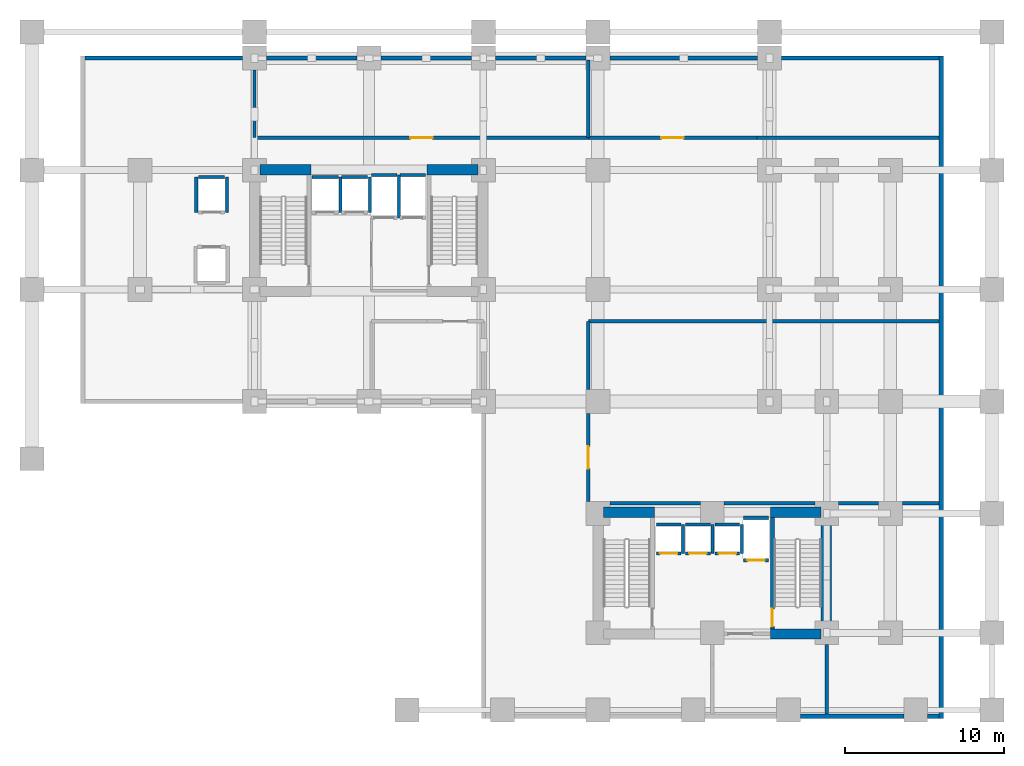
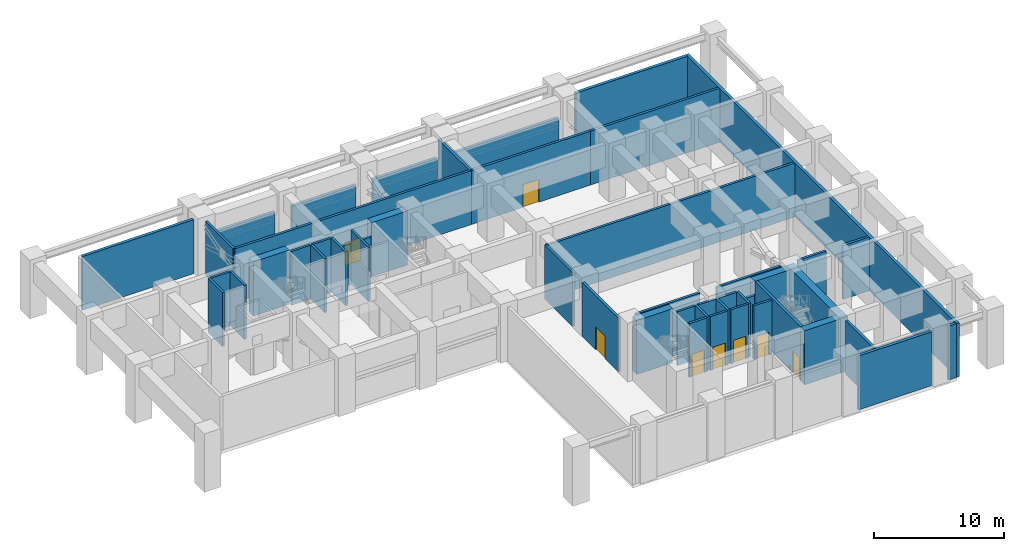
# One storey, part 5 of 9: 50 walls, 8 doors, 8 openings.
"""IFC4 building model written with IfcOpenShell, lengths in metres."""

from ifc_helpers import new_model, si_unit, direction, frame, frame_2d, origin, place, context, subcontext, project, spatial, rectangle, extrude, material, layer, layer_set, type_object, element, fill, save


model = new_model("IFC4")

# Units and contexts
model_context = context("Model", 3, precision=1e-05, world=origin(), true_north=direction((0.0, 1.0)))
body_context = subcontext(model_context, "Body", "Model", "MODEL_VIEW")
ifc_project = project(units=[si_unit("LENGTHUNIT", "METRE"), si_unit("AREAUNIT", "SQUARE_METRE"), si_unit("VOLUMEUNIT", "CUBIC_METRE"), si_unit("PLANEANGLEUNIT", "RADIAN"), si_unit("MASSUNIT", "GRAM", prefix="KILO")], contexts=[model_context])

# Site, building, storey
site_placement = place(None, origin())
site = spatial("IfcSite", under=ifc_project, at=site_placement, CompositionType="ELEMENT")
building_placement = place(site_placement, origin())
building = spatial("IfcBuilding", under=site, at=building_placement, Name="Kaliganga Portal Commons", CompositionType="ELEMENT")
storey_placement = place(building_placement, frame((0.0, 0.0, 19.800048828125)))
storey = spatial("IfcBuildingStorey", under=building, at=storey_placement, Name="L04", CompositionType="ELEMENT", Elevation=19.800048828125)

# Walls
ifc_material_1 = material(Name="Concrete C70/85", Category="concrete")
ifc_layer_1 = layer(ifc_material_1, 0.64990234375)
ifc_layer_set_1 = layer_set([ifc_layer_1], Name="Concrete C70/85")
wall_type_1 = type_object("IfcWallType", Name="WL-CORE-650", PredefinedType="SHEAR", material=ifc_layer_set_1)
for number, where, z_axis, x_axis, name in (
    (1, (14.75, 36.175048828125, 0.0), (0.0, 0.0, 1.0), (1.0, 0.0, 0.0), "Core A N-West Shear Wall L04"),
    (2, (25.25, 36.175048828125, 0.0), (0.0, 0.0, 1.0), (1.0, 0.0, 0.0), "Core A N-East Shear Wall L04"),
):
    element("IfcWall", number, at=place(storey_placement, frame(where, z_axis=z_axis, x_axis=x_axis)), inside=storey, type_object=wall_type_1, Name=name, PredefinedType="SHEAR", context=body_context, shape_type="SweptSolid", body=[
        extrude(rectangle(XDim=3.199951171875, YDim=0.64990234375, at=frame_2d((1.60009765625, 0.0))), origin(), (0.0, 0.0, 1.0), 5.079833984375),
    ])
wall_1_placement = place(storey_placement, frame((50.375, 6.64990234375, 0.0), z_axis=(0.0, 0.0, 1.0), x_axis=(0.0, 1.0, 0.0)))
element("IfcWall", 3, at=wall_1_placement, inside=storey, type_object=wall_type_1, Name="Core B East Shear Wall L04", PredefinedType="SHEAR", context=body_context, shape_type="SweptSolid", body=[
    extrude(rectangle(XDim=8.300048828125, YDim=0.64990234375, at=frame_2d((4.14990234375, 0.0))), origin(), (0.0, 0.0, 1.0), 5.079833984375),
])
for number, where, z_axis, x_axis, name in (
    (4, (46.85009765625, 6.97509765625, 0.0), (0.0, 0.0, 1.0), (1.0, 0.0, 0.0), "Core B S-East Shear Wall L04"),
    (5, (36.35009765625, 14.625, 0.0), (0.0, 0.0, 1.0), (1.0, 0.0, 0.0), "Core B N-West Shear Wall L04"),
    (6, (46.85009765625, 14.625, 0.0), (0.0, 0.0, 1.0), (1.0, 0.0, 0.0), "Core B N-East Shear Wall L04"),
):
    element("IfcWall", number, at=place(storey_placement, frame(where, z_axis=z_axis, x_axis=x_axis)), inside=storey, type_object=wall_type_1, Name=name, PredefinedType="SHEAR", context=body_context, shape_type="SweptSolid", body=[
        extrude(rectangle(XDim=3.199951171875, YDim=0.64990234375, at=frame_2d((1.60009765625, 0.0))), origin(), (0.0, 0.0, 1.0), 5.079833984375),
    ])
ifc_material_2 = material(Name="Insulated Aluminium-Clad Spandrel Assembly", Category="aluminium")
ifc_layer_2 = layer(ifc_material_2, 0.260009765625)
ifc_layer_set_2 = layer_set([ifc_layer_2], Name="Insulated Aluminium-Clad Spandrel Assembly")
wall_type_2 = type_object("IfcWallType", Name="WL-EXT-SPAND-260", PredefinedType="STANDARD", material=ifc_layer_set_2)
wall_2_placement = place(storey_placement, frame((55.2490234375, 1.800048828125, 0.0), z_axis=(0.0, 0.0, 1.0), x_axis=(-1.0, 0.0, 0.0)))
element("IfcWall", 7, at=wall_2_placement, inside=storey, type_object=wall_type_2, Name="Exterior Envelope Wall L04 P1-E00-S5", PredefinedType="STANDARD", context=body_context, shape_type="SweptSolid", body=[
    extrude(rectangle(XDim=6.498046875, YDim=0.260009765625, at=frame_2d((3.2490234375, 0.0))), origin(), (0.0, 0.0, 1.0), 5.06005859375),
])
wall_3_placement = place(storey_placement, frame((57.465087890625, 1.800048828125, 0.0), z_axis=(0.0, 0.0, 1.0), x_axis=(-1.0, 0.0, 0.0)))
element("IfcWall", 8, at=wall_3_placement, inside=storey, type_object=wall_type_2, Name="Exterior Envelope Wall L04 P1-E00-S6", PredefinedType="STANDARD", context=body_context, shape_type="SweptSolid", body=[
    extrude(rectangle(XDim=0.714111328125, YDim=0.260009765625, at=frame_2d((0.35693359375, 0.0))), origin(), (0.0, 0.0, 1.0), 5.06005859375),
])
wall_4_placement = place(storey_placement, frame((57.60009765625, 43.330078125, 0.0), z_axis=(0.0, 0.0, 1.0), x_axis=(0.0, -1.0, 0.0)))
element("IfcWall", 9, at=wall_4_placement, inside=storey, type_object=wall_type_2, Name="Exterior Envelope Wall L04 P1-E01-S1", PredefinedType="STANDARD", context=body_context, shape_type="SweptSolid", body=[
    extrude(rectangle(XDim=41.66015625, YDim=0.260009765625, at=frame_2d((20.830078125, 0.0))), origin(), (0.0, 0.0, 1.0), 5.06005859375),
])
wall_5_placement = place(storey_placement, frame((47.551025390625, 43.199951171875, 0.0), z_axis=(0.0, 0.0, 1.0), x_axis=(1.0, 0.0, 0.0)))
element("IfcWall", 10, at=wall_5_placement, inside=storey, type_object=wall_type_2, Name="Exterior Envelope Wall L04 P1-E02-S1", PredefinedType="STANDARD", context=body_context, shape_type="SweptSolid", body=[
    extrude(rectangle(XDim=9.9140625, YDim=0.260009765625, at=frame_2d((4.95703125, 0.0))), origin(), (0.0, 0.0, 1.0), 5.06005859375),
])
wall_6_placement = place(storey_placement, frame((36.7509765625, 43.199951171875, 0.0), z_axis=(0.0, 0.0, 1.0), x_axis=(1.0, 0.0, 0.0)))
element("IfcWall", 11, at=wall_6_placement, inside=storey, type_object=wall_type_2, Name="Exterior Envelope Wall L04 P1-E02-S2", PredefinedType="STANDARD", context=body_context, shape_type="SweptSolid", body=[
    extrude(rectangle(XDim=9.298095703125, YDim=0.260009765625, at=frame_2d((4.64892578125, 0.0))), origin(), (0.0, 0.0, 1.0), 3.260009765625),
])
for number, where, z_axis, x_axis, name in (
    (12, (29.551025390625, 43.199951171875, 0.0), (0.0, 0.0, 1.0), (1.0, 0.0, 0.0), "Exterior Envelope Wall L04 P1-E02-S3"),
    (13, (22.35107421875, 43.199951171875, 0.0), (0.0, 0.0, 1.0), (1.0, 0.0, 0.0), "Exterior Envelope Wall L04 P1-E02-S4"),
):
    element("IfcWall", number, at=place(storey_placement, frame(where, z_axis=z_axis, x_axis=x_axis)), inside=storey, type_object=wall_type_2, Name=name, PredefinedType="STANDARD", context=body_context, shape_type="SweptSolid", body=[
        extrude(rectangle(XDim=5.697998046875, YDim=0.260009765625, at=frame_2d((2.84912109375, 0.0))), origin(), (0.0, 0.0, 1.0), 3.260009765625),
    ])
wall_7_placement = place(storey_placement, frame((15.15087890625, 43.199951171875, 0.0), z_axis=(0.0, 0.0, 1.0), x_axis=(1.0, 0.0, 0.0)))
element("IfcWall", 14, at=wall_7_placement, inside=storey, type_object=wall_type_2, Name="Exterior Envelope Wall L04 P1-E02-S5", PredefinedType="STANDARD", context=body_context, shape_type="SweptSolid", body=[
    extrude(rectangle(XDim=5.6982421875, YDim=0.260009765625, at=frame_2d((2.84912109375, 0.0))), origin(), (0.0, 0.0, 1.0), 3.260009765625),
])
wall_8_placement = place(storey_placement, frame((3.735107421875, 43.199951171875, 0.0), z_axis=(0.0, 0.0, 1.0), x_axis=(1.0, 0.0, 0.0)))
element("IfcWall", 15, at=wall_8_placement, inside=storey, type_object=wall_type_2, Name="Exterior Envelope Wall L04 P1-E02-S6", PredefinedType="STANDARD", context=body_context, shape_type="SweptSolid", body=[
    extrude(rectangle(XDim=9.913818359375, YDim=0.260009765625, at=frame_2d((4.95703125, 0.0))), origin(), (0.0, 0.0, 1.0), 5.06005859375),
])

# Wall, opening, door
ifc_material_3 = material(Name="Lightweight blockwork masonry", Category="masonry")
ifc_layer_3 = layer(ifc_material_3, 0.215087890625)
ifc_layer_set_3 = layer_set([ifc_layer_3], Name="Lightweight blockwork masonry")
wall_type_3 = type_object("IfcWallType", Name="WL-PART-PLANT-215", PredefinedType="PARTITIONING", material=ifc_layer_set_3)
wall_9_placement = place(storey_placement, frame((14.39990234375, 38.199951171875, 0.0), z_axis=(0.0, 0.0, 1.0), x_axis=(1.0, 0.0, 0.0)))
wall_9 = element("IfcWall", 16, at=wall_9_placement, inside=storey, type_object=wall_type_3, Name="Interior Partition L04-002", PredefinedType="PARTITIONING", context=body_context, shape_type="SweptSolid", body=[
    extrude(rectangle(XDim=21.0, YDim=0.215087890625, at=frame_2d((10.5, 0.0))), origin(), (0.0, 0.0, 1.0), 5.06005859375),
])
opening_1_placement = place(wall_9_placement, frame((9.800048828125, 0.0, 0.0)))
opening_1 = element("IfcOpeningElement", 17, at=opening_1_placement, cuts=wall_9, Name="Opening PD-01", PredefinedType="OPENING", context=body_context, shape_type="SweptSolid", body=[
    extrude(rectangle(XDim=1.39990234375, YDim=2.14990234375, at=frame_2d((0.699951171875, 1.074951171875))), frame((0.0, 0.11767578125, 0.0), z_axis=(0.0, -1.0, 0.0), x_axis=(1.0, 0.0, 0.0)), (0.0, 0.0, 1.0), 0.235107421875),
])
ifc_material_4 = material(Name="Heavy-Duty Steel Acoustic Louvre Fire Door", Category="steel")
door_type_1 = type_object("IfcDoorType", Name="DR-PLANT-1400", OperationType="DOUBLE_DOOR_SINGLE_SWING", PredefinedType="DOOR", material=ifc_material_4)
door_1_placement = place(opening_1_placement, origin())
door_1 = element("IfcDoor", 18, at=door_1_placement, inside=storey, type_object=door_type_1, Name="Interior Door L04-AHU_N", OperationType="DOUBLE_DOOR_SINGLE_SWING", OverallHeight=2.14990234375, OverallWidth=1.39990234375, PredefinedType="DOOR", context=body_context, shape_type="SweptSolid", body=[
    extrude(rectangle(XDim=1.39990234375, YDim=2.14990234375, at=frame_2d((0.699951171875, 1.074951171875))), frame((0.0, 0.02490234375, 0.0), z_axis=(0.0, -1.0, 0.0), x_axis=(1.0, 0.0, 0.0)), (0.0, 0.0, 1.0), 0.050048828125),
])
fill(opening_1, door_1)

wall_10_placement = place(storey_placement, frame((35.39990234375, 15.300048828125, 0.0), z_axis=(0.0, 0.0, 1.0), x_axis=(0.0, 1.0, 0.0)))
wall_10 = element("IfcWall", 19, at=wall_10_placement, inside=storey, type_object=wall_type_3, Name="Interior Partition L04-003", PredefinedType="PARTITIONING", context=body_context, shape_type="SweptSolid", body=[
    extrude(rectangle(XDim=5.550048828125, YDim=0.215087890625, at=frame_2d((2.77490234375, 0.0))), origin(), (0.0, 0.0, 1.0), 5.06005859375),
])
opening_2_placement = place(wall_10_placement, frame((2.074951171875, 0.0, 0.0)))
opening_2 = element("IfcOpeningElement", 20, at=opening_2_placement, cuts=wall_10, Name="Opening PD-01", PredefinedType="OPENING", context=body_context, shape_type="SweptSolid", body=[
    extrude(rectangle(XDim=1.39990234375, YDim=2.14990234375, at=frame_2d((0.699951171875, 1.074951171875))), frame((0.0, 0.11767578125, 0.0), z_axis=(0.0, -1.0, 0.0), x_axis=(1.0, 0.0, 0.0)), (0.0, 0.0, 1.0), 0.235107421875),
])
door_2_placement = place(opening_2_placement, origin())
door_2 = element("IfcDoor", 21, at=door_2_placement, inside=storey, type_object=door_type_1, Name="Interior Door L04-HEX", OperationType="DOUBLE_DOOR_SINGLE_SWING", OverallHeight=2.14990234375, OverallWidth=1.39990234375, PredefinedType="DOOR", context=body_context, shape_type="SweptSolid", body=[
    extrude(rectangle(XDim=1.39990234375, YDim=2.14990234375, at=frame_2d((0.699951171875, 1.074951171875))), frame((0.0, 0.02490234375, 0.0), z_axis=(0.0, -1.0, 0.0), x_axis=(1.0, 0.0, 0.0)), (0.0, 0.0, 1.0), 0.050048828125),
])
fill(opening_2, door_2)

# Wall
wall_11_placement = place(storey_placement, frame((35.39990234375, 22.35009765625, 0.0), z_axis=(0.0, 0.0, 1.0), x_axis=(0.0, 1.0, 0.0)))
element("IfcWall", 22, at=wall_11_placement, inside=storey, type_object=wall_type_3, Name="Interior Partition L04-004", PredefinedType="PARTITIONING", context=body_context, shape_type="SweptSolid", body=[
    extrude(rectangle(XDim=4.289794921875, YDim=0.215087890625, at=frame_2d((2.14501953125, 0.0))), origin(), (0.0, 0.0, 1.0), 5.06005859375),
])

# Wall, opening, door
wall_12_placement = place(storey_placement, frame((35.39990234375, 38.199951171875, 0.0), z_axis=(0.0, 0.0, 1.0), x_axis=(1.0, 0.0, 0.0)))
wall_12 = element("IfcWall", 23, at=wall_12_placement, inside=storey, type_object=wall_type_3, Name="Interior Partition L04-005", PredefinedType="PARTITIONING", context=body_context, shape_type="SweptSolid", body=[
    extrude(rectangle(XDim=10.60009765625, YDim=0.215087890625, at=frame_2d((5.300048828125, 0.0))), origin(), (0.0, 0.0, 1.0), 5.06005859375),
])
opening_3_placement = place(wall_12_placement, frame((4.60009765625, 0.0, 0.0)))
opening_3 = element("IfcOpeningElement", 24, at=opening_3_placement, cuts=wall_12, Name="Opening PD-01", PredefinedType="OPENING", context=body_context, shape_type="SweptSolid", body=[
    extrude(rectangle(XDim=1.39990234375, YDim=2.14990234375, at=frame_2d((0.699951171875, 1.074951171875))), frame((0.0, 0.11767578125, 0.0), z_axis=(0.0, -1.0, 0.0), x_axis=(1.0, 0.0, 0.0)), (0.0, 0.0, 1.0), 0.235107421875),
])
door_3_placement = place(opening_3_placement, origin())
door_3 = element("IfcDoor", 25, at=door_3_placement, inside=storey, type_object=door_type_1, Name="Interior Door L04-ELEC", OperationType="DOUBLE_DOOR_SINGLE_SWING", OverallHeight=2.14990234375, OverallWidth=1.39990234375, PredefinedType="DOOR", context=body_context, shape_type="SweptSolid", body=[
    extrude(rectangle(XDim=1.39990234375, YDim=2.14990234375, at=frame_2d((0.699951171875, 1.074951171875))), frame((0.0, 0.02490234375, 0.0), z_axis=(0.0, -1.0, 0.0), x_axis=(1.0, 0.0, 0.0)), (0.0, 0.0, 1.0), 0.050048828125),
])
fill(opening_3, door_3)

# Walls
for number, where, z_axis, x_axis, name in (
    (26, (36.75, 15.199951171875, 0.0), (0.0, 0.0, 1.0), (1.0, 0.0, 0.0), "Interior Partition L04-008"),
    (27, (43.949951171875, 15.199951171875, 0.0), (0.0, 0.0, 1.0), (1.0, 0.0, 0.0), "Interior Partition L04-009"),
):
    element("IfcWall", number, at=place(storey_placement, frame(where, z_axis=z_axis, x_axis=x_axis)), inside=storey, type_object=wall_type_3, Name=name, PredefinedType="PARTITIONING", context=body_context, shape_type="SweptSolid", body=[
        extrude(rectangle(XDim=5.699951171875, YDim=0.215087890625, at=frame_2d((2.85009765625, 0.0))), origin(), (0.0, 0.0, 1.0), 5.06005859375),
    ])
wall_13_placement = place(storey_placement, frame((51.14990234375, 15.199951171875, 0.0), z_axis=(0.0, 0.0, 1.0), x_axis=(1.0, 0.0, 0.0)))
element("IfcWall", 28, at=wall_13_placement, inside=storey, type_object=wall_type_3, Name="Interior Partition L04-010", PredefinedType="PARTITIONING", context=body_context, shape_type="SweptSolid", body=[
    extrude(rectangle(XDim=2.5, YDim=0.215087890625, at=frame_2d((1.25, 0.0))), origin(), (0.0, 0.0, 1.0), 5.06005859375),
])
wall_14_placement = place(storey_placement, frame((55.14990234375, 15.199951171875, 0.0), z_axis=(0.0, 0.0, 1.0), x_axis=(1.0, 0.0, 0.0)))
element("IfcWall", 29, at=wall_14_placement, inside=storey, type_object=wall_type_3, Name="Interior Partition L04-011", PredefinedType="PARTITIONING", context=body_context, shape_type="SweptSolid", body=[
    extrude(rectangle(XDim=2.318115234375, YDim=0.215087890625, at=frame_2d((1.1591796875, 0.0))), origin(), (0.0, 0.0, 1.0), 5.06005859375),
])
wall_15_placement = place(storey_placement, frame((35.39990234375, 26.639892578125, 0.0), z_axis=(0.0, 0.0, 1.0), x_axis=(1.0, 0.0, 0.0)))
element("IfcWall", 30, at=wall_15_placement, inside=storey, type_object=wall_type_3, Name="Interior Partition L04-012", PredefinedType="PARTITIONING", context=body_context, shape_type="SweptSolid", body=[
    extrude(rectangle(XDim=22.068115234375, YDim=0.215087890625, at=frame_2d((11.0341796875, 0.0))), origin(), (0.0, 0.0, 1.0), 5.06005859375),
])
wall_16_placement = place(storey_placement, frame((46.0, 38.199951171875, 0.0), z_axis=(0.0, 0.0, 1.0), x_axis=(1.0, 0.0, 0.0)))
element("IfcWall", 31, at=wall_16_placement, inside=storey, type_object=wall_type_3, Name="Interior Partition L04-013", PredefinedType="PARTITIONING", context=body_context, shape_type="SweptSolid", body=[
    extrude(rectangle(XDim=11.468017578125, YDim=0.215087890625, at=frame_2d((5.73388671875, 0.0))), origin(), (0.0, 0.0, 1.0), 5.06005859375),
])
wall_17_placement = place(storey_placement, frame((50.39990234375, 1.931884765625, 0.0), z_axis=(0.0, 0.0, 1.0), x_axis=(0.0, 1.0, 0.0)))
element("IfcWall", 32, at=wall_17_placement, inside=storey, type_object=wall_type_3, Name="Interior Partition L04-014", PredefinedType="PARTITIONING", context=body_context, shape_type="SweptSolid", body=[
    extrude(rectangle(XDim=4.3681640625, YDim=0.215087890625, at=frame_2d((2.18408203125, 0.0))), origin(), (0.0, 0.0, 1.0), 5.06005859375),
])
wall_18_placement = place(storey_placement, frame((14.39990234375, 38.199951171875, 0.0), z_axis=(0.0, 0.0, 1.0), x_axis=(0.0, 1.0, 0.0)))
element("IfcWall", 33, at=wall_18_placement, inside=storey, type_object=wall_type_3, Name="Interior Partition L04-017", PredefinedType="PARTITIONING", context=body_context, shape_type="SweptSolid", body=[
    extrude(rectangle(XDim=4.25, YDim=0.215087890625, at=frame_2d((2.125, 0.0))), origin(), (0.0, 0.0, 1.0), 5.06005859375),
])
wall_19_placement = place(storey_placement, frame((35.39990234375, 38.199951171875, 0.0), z_axis=(0.0, 0.0, 1.0), x_axis=(0.0, 1.0, 0.0)))
element("IfcWall", 34, at=wall_19_placement, inside=storey, type_object=wall_type_3, Name="Interior Partition L04-018", PredefinedType="PARTITIONING", context=body_context, shape_type="SweptSolid", body=[
    extrude(rectangle(XDim=4.8681640625, YDim=0.215087890625, at=frame_2d((2.43408203125, 0.0))), origin(), (0.0, 0.0, 1.0), 5.06005859375),
])
ifc_material_5 = material(Name="Fire-Rated Shaftwall Masonry Assembly", Category="masonry")
ifc_layer_4 = layer(ifc_material_5, 0.199951171875)
ifc_layer_set_4 = layer_set([ifc_layer_4], Name="Fire-Rated Shaftwall Masonry Assembly")
wall_type_4 = type_object("IfcWallType", Name="WL-SHAFT-200", PredefinedType="PARTITIONING", material=ifc_layer_set_4)
wall_20_placement = place(storey_placement, frame((18.02490234375, 35.715087890625, 0.0), z_axis=(0.0, 0.0, 1.0), x_axis=(1.0, 0.0, 0.0)))
element("IfcWall", 35, at=wall_20_placement, inside=storey, type_object=wall_type_4, Name="Lift PL-A1 Hoistway Shaft Wall L04-N", PredefinedType="PARTITIONING", context=body_context, shape_type="SweptSolid", body=[
    extrude(rectangle(XDim=1.650146484375, YDim=0.199951171875, at=frame_2d((0.8251953125, 0.0))), origin(), (0.0, 0.0, 1.0), 5.06005859375),
])
wall_21_placement = place(storey_placement, frame((19.81494140625, 33.485107421875, 0.0), z_axis=(0.0, 0.0, 1.0), x_axis=(0.0, 1.0, 0.0)))
element("IfcWall", 36, at=wall_21_placement, inside=storey, type_object=wall_type_4, Name="Lift PL-A1 Hoistway Shaft Wall L04-E", PredefinedType="PARTITIONING", context=body_context, shape_type="SweptSolid", body=[
    extrude(rectangle(XDim=2.22998046875, YDim=0.199951171875, at=frame_2d((1.114990234375, 0.0))), origin(), (0.0, 0.0, 1.0), 5.06005859375),
])
wall_22_placement = place(storey_placement, frame((19.875, 35.715087890625, 0.0), z_axis=(0.0, 0.0, 1.0), x_axis=(1.0, 0.0, 0.0)))
element("IfcWall", 37, at=wall_22_placement, inside=storey, type_object=wall_type_4, Name="Lift PL-A2 Hoistway Shaft Wall L04-N", PredefinedType="PARTITIONING", context=body_context, shape_type="SweptSolid", body=[
    extrude(rectangle(XDim=1.64990234375, YDim=0.199951171875, at=frame_2d((0.824951171875, 0.0))), origin(), (0.0, 0.0, 1.0), 5.06005859375),
])
wall_23_placement = place(storey_placement, frame((21.6650390625, 33.485107421875, 0.0), z_axis=(0.0, 0.0, 1.0), x_axis=(0.0, 1.0, 0.0)))
element("IfcWall", 38, at=wall_23_placement, inside=storey, type_object=wall_type_4, Name="Lift PL-A2 Hoistway Shaft Wall L04-E", PredefinedType="PARTITIONING", context=body_context, shape_type="SweptSolid", body=[
    extrude(rectangle(XDim=2.22998046875, YDim=0.199951171875, at=frame_2d((1.114990234375, 0.0))), origin(), (0.0, 0.0, 1.0), 5.06005859375),
])
wall_24_placement = place(storey_placement, frame((10.875, 35.715087890625, 0.0), z_axis=(0.0, 0.0, 1.0), x_axis=(1.0, 0.0, 0.0)))
element("IfcWall", 39, at=wall_24_placement, inside=storey, type_object=wall_type_4, Name="Lift PL-OBS Hoistway Shaft Wall L04-N", PredefinedType="PARTITIONING", context=body_context, shape_type="SweptSolid", body=[
    extrude(rectangle(XDim=1.64990234375, YDim=0.199951171875, at=frame_2d((0.824951171875, 0.0))), origin(), (0.0, 0.0, 1.0), 5.06005859375),
])
for number, where, z_axis, x_axis, name in (
    (40, (10.735107421875, 33.485107421875, 0.0), (0.0, 0.0, 1.0), (0.0, 1.0, 0.0), "Lift PL-OBS Hoistway Shaft Wall L04-W"),
    (41, (12.6650390625, 33.485107421875, 0.0), (0.0, 0.0, 1.0), (0.0, 1.0, 0.0), "Lift PL-OBS Hoistway Shaft Wall L04-E"),
):
    element("IfcWall", number, at=place(storey_placement, frame(where, z_axis=z_axis, x_axis=x_axis)), inside=storey, type_object=wall_type_4, Name=name, PredefinedType="PARTITIONING", context=body_context, shape_type="SweptSolid", body=[
        extrude(rectangle(XDim=2.22998046875, YDim=0.199951171875, at=frame_2d((1.114990234375, 0.0))), origin(), (0.0, 0.0, 1.0), 5.06005859375),
    ])
wall_25_placement = place(storey_placement, frame((21.75, 35.840087890625, 0.0), z_axis=(0.0, 0.0, 1.0), x_axis=(1.0, 0.0, 0.0)))
element("IfcWall", 42, at=wall_25_placement, inside=storey, type_object=wall_type_4, Name="Lift FFL-1 Hoistway Shaft Wall L04-N", PredefinedType="PARTITIONING", context=body_context, shape_type="SweptSolid", body=[
    extrude(rectangle(XDim=1.60009765625, YDim=0.199951171875, at=frame_2d((0.800048828125, 0.0))), origin(), (0.0, 0.0, 1.0), 3.85986328125),
])
wall_26_placement = place(storey_placement, frame((23.489990234375, 33.159912109375, 0.0), z_axis=(0.0, 0.0, 1.0), x_axis=(0.0, 1.0, 0.0)))
element("IfcWall", 43, at=wall_26_placement, inside=storey, type_object=wall_type_4, Name="Lift FFL-1 Hoistway Shaft Wall L04-E", PredefinedType="PARTITIONING", context=body_context, shape_type="SweptSolid", body=[
    extrude(rectangle(XDim=2.68017578125, YDim=0.199951171875, at=frame_2d((1.340087890625, 0.0))), origin(), (0.0, 0.0, 1.0), 5.06005859375),
])
wall_27_placement = place(storey_placement, frame((23.550048828125, 35.840087890625, 0.0), z_axis=(0.0, 0.0, 1.0), x_axis=(1.0, 0.0, 0.0)))
element("IfcWall", 44, at=wall_27_placement, inside=storey, type_object=wall_type_4, Name="Lift FFL-2 Hoistway Shaft Wall L04-N", PredefinedType="PARTITIONING", context=body_context, shape_type="SweptSolid", body=[
    extrude(rectangle(XDim=1.599853515625, YDim=0.199951171875, at=frame_2d((0.7998046875, 0.0))), origin(), (0.0, 0.0, 1.0), 3.85986328125),
])

# Wall, opening, door
wall_28_placement = place(storey_placement, frame((39.675048828125, 12.034912109375, 0.0), z_axis=(0.0, 0.0, 1.0), x_axis=(1.0, 0.0, 0.0)))
wall_28 = element("IfcWall", 45, at=wall_28_placement, inside=storey, type_object=wall_type_4, Name="Lift PL-B1 Hoistway Shaft Wall L04-S", PredefinedType="PARTITIONING", context=body_context, shape_type="SweptSolid", body=[
    extrude(rectangle(XDim=1.550048828125, YDim=0.199951171875, at=frame_2d((0.77490234375, 0.0))), origin(), (0.0, 0.0, 1.0), 5.06005859375),
])
opening_4_placement = place(wall_28_placement, frame((0.22509765625, 0.0, 0.0)))
opening_4 = element("IfcOpeningElement", 46, at=opening_4_placement, cuts=wall_28, Name="Opening LD-01", PredefinedType="OPENING", context=body_context, shape_type="SweptSolid", body=[
    extrude(rectangle(XDim=1.10009765625, YDim=2.1201171875, at=frame_2d((0.550048828125, 1.06005859375))), frame((0.0, 0.10986328125, 0.0), z_axis=(0.0, -1.0, 0.0), x_axis=(1.0, 0.0, 0.0)), (0.0, 0.0, 1.0), 0.219970703125),
])
ifc_material_6 = material(Name="Brushed Stainless Steel 316 Lift Landing Door", Category="steel")
door_type_2 = type_object("IfcDoorType", Name="DR-LIFT-1100", OperationType="SLIDING_TO_LEFT", PredefinedType="DOOR", material=ifc_material_6)
door_4_placement = place(opening_4_placement, origin())
door_4 = element("IfcDoor", 47, at=door_4_placement, inside=storey, type_object=door_type_2, Name="Lift PL-B1 Sliding Landing Door L04", OperationType="SLIDING_TO_LEFT", OverallHeight=2.1201171875, OverallWidth=1.10009765625, PredefinedType="DOOR", context=body_context, shape_type="SweptSolid", body=[
    extrude(rectangle(XDim=1.10009765625, YDim=2.1201171875, at=frame_2d((0.550048828125, 1.06005859375))), frame((0.0, 0.02490234375, 0.0), z_axis=(0.0, -1.0, 0.0), x_axis=(1.0, 0.0, 0.0)), (0.0, 0.0, 1.0), 0.050048828125),
])
fill(opening_4, door_4)

# Walls
wall_29_placement = place(storey_placement, frame((39.675048828125, 13.864990234375, 0.0), z_axis=(0.0, 0.0, 1.0), x_axis=(1.0, 0.0, 0.0)))
element("IfcWall", 48, at=wall_29_placement, inside=storey, type_object=wall_type_4, Name="Lift PL-B1 Hoistway Shaft Wall L04-N", PredefinedType="PARTITIONING", context=body_context, shape_type="SweptSolid", body=[
    extrude(rectangle(XDim=1.550048828125, YDim=0.199951171875, at=frame_2d((0.77490234375, 0.0))), origin(), (0.0, 0.0, 1.0), 5.06005859375),
])
wall_30_placement = place(storey_placement, frame((41.364990234375, 12.034912109375, 0.0), z_axis=(0.0, 0.0, 1.0), x_axis=(0.0, 1.0, 0.0)))
element("IfcWall", 49, at=wall_30_placement, inside=storey, type_object=wall_type_4, Name="Lift PL-B1 Hoistway Shaft Wall L04-E", PredefinedType="PARTITIONING", context=body_context, shape_type="SweptSolid", body=[
    extrude(rectangle(XDim=1.830078125, YDim=0.199951171875, at=frame_2d((0.9150390625, 0.0))), origin(), (0.0, 0.0, 1.0), 5.06005859375),
])

# Wall, opening, door
wall_31_placement = place(storey_placement, frame((41.52490234375, 12.034912109375, 0.0), z_axis=(0.0, 0.0, 1.0), x_axis=(1.0, 0.0, 0.0)))
wall_31 = element("IfcWall", 50, at=wall_31_placement, inside=storey, type_object=wall_type_4, Name="Lift PL-B2 Hoistway Shaft Wall L04-S", PredefinedType="PARTITIONING", context=body_context, shape_type="SweptSolid", body=[
    extrude(rectangle(XDim=1.550048828125, YDim=0.199951171875, at=frame_2d((0.77490234375, 0.0))), origin(), (0.0, 0.0, 1.0), 5.06005859375),
])
opening_5_placement = place(wall_31_placement, frame((0.22509765625, 0.0, 0.0)))
opening_5 = element("IfcOpeningElement", 51, at=opening_5_placement, cuts=wall_31, Name="Opening LD-01", PredefinedType="OPENING", context=body_context, shape_type="SweptSolid", body=[
    extrude(rectangle(XDim=1.10009765625, YDim=2.1201171875, at=frame_2d((0.550048828125, 1.06005859375))), frame((0.0, 0.10986328125, 0.0), z_axis=(0.0, -1.0, 0.0), x_axis=(1.0, 0.0, 0.0)), (0.0, 0.0, 1.0), 0.219970703125),
])
door_5_placement = place(opening_5_placement, origin())
door_5 = element("IfcDoor", 52, at=door_5_placement, inside=storey, type_object=door_type_2, Name="Lift PL-B2 Sliding Landing Door L04", OperationType="SLIDING_TO_LEFT", OverallHeight=2.1201171875, OverallWidth=1.10009765625, PredefinedType="DOOR", context=body_context, shape_type="SweptSolid", body=[
    extrude(rectangle(XDim=1.10009765625, YDim=2.1201171875, at=frame_2d((0.550048828125, 1.06005859375))), frame((0.0, 0.02490234375, 0.0), z_axis=(0.0, -1.0, 0.0), x_axis=(1.0, 0.0, 0.0)), (0.0, 0.0, 1.0), 0.050048828125),
])
fill(opening_5, door_5)

# Walls
wall_32_placement = place(storey_placement, frame((41.52490234375, 13.864990234375, 0.0), z_axis=(0.0, 0.0, 1.0), x_axis=(1.0, 0.0, 0.0)))
element("IfcWall", 53, at=wall_32_placement, inside=storey, type_object=wall_type_4, Name="Lift PL-B2 Hoistway Shaft Wall L04-N", PredefinedType="PARTITIONING", context=body_context, shape_type="SweptSolid", body=[
    extrude(rectangle(XDim=1.550048828125, YDim=0.199951171875, at=frame_2d((0.77490234375, 0.0))), origin(), (0.0, 0.0, 1.0), 5.06005859375),
])
wall_33_placement = place(storey_placement, frame((43.215087890625, 12.034912109375, 0.0), z_axis=(0.0, 0.0, 1.0), x_axis=(0.0, 1.0, 0.0)))
element("IfcWall", 54, at=wall_33_placement, inside=storey, type_object=wall_type_4, Name="Lift PL-B2 Hoistway Shaft Wall L04-E", PredefinedType="PARTITIONING", context=body_context, shape_type="SweptSolid", body=[
    extrude(rectangle(XDim=1.830078125, YDim=0.199951171875, at=frame_2d((0.9150390625, 0.0))), origin(), (0.0, 0.0, 1.0), 5.06005859375),
])

# Wall, opening, door
wall_34_placement = place(storey_placement, frame((43.375, 12.034912109375, 0.0), z_axis=(0.0, 0.0, 1.0), x_axis=(1.0, 0.0, 0.0)))
wall_34 = element("IfcWall", 55, at=wall_34_placement, inside=storey, type_object=wall_type_4, Name="Lift SH-2 Hoistway Shaft Wall L04-S", PredefinedType="PARTITIONING", context=body_context, shape_type="SweptSolid", body=[
    extrude(rectangle(XDim=1.550048828125, YDim=0.199951171875, at=frame_2d((0.77490234375, 0.0))), origin(), (0.0, 0.0, 1.0), 5.06005859375),
])
opening_6_placement = place(wall_34_placement, frame((0.22509765625, 0.0, 0.0)))
opening_6 = element("IfcOpeningElement", 56, at=opening_6_placement, cuts=wall_34, Name="Opening LD-01", PredefinedType="OPENING", context=body_context, shape_type="SweptSolid", body=[
    extrude(rectangle(XDim=1.10009765625, YDim=2.1201171875, at=frame_2d((0.550048828125, 1.06005859375))), frame((0.0, 0.10986328125, 0.0), z_axis=(0.0, -1.0, 0.0), x_axis=(1.0, 0.0, 0.0)), (0.0, 0.0, 1.0), 0.219970703125),
])
door_6_placement = place(opening_6_placement, origin())
door_6 = element("IfcDoor", 57, at=door_6_placement, inside=storey, type_object=door_type_2, Name="Lift SH-2 Sliding Landing Door L04", OperationType="SLIDING_TO_LEFT", OverallHeight=2.1201171875, OverallWidth=1.10009765625, PredefinedType="DOOR", context=body_context, shape_type="SweptSolid", body=[
    extrude(rectangle(XDim=1.10009765625, YDim=2.1201171875, at=frame_2d((0.550048828125, 1.06005859375))), frame((0.0, 0.02490234375, 0.0), z_axis=(0.0, -1.0, 0.0), x_axis=(1.0, 0.0, 0.0)), (0.0, 0.0, 1.0), 0.050048828125),
])
fill(opening_6, door_6)

# Walls
wall_35_placement = place(storey_placement, frame((43.375, 13.864990234375, 0.0), z_axis=(0.0, 0.0, 1.0), x_axis=(1.0, 0.0, 0.0)))
element("IfcWall", 58, at=wall_35_placement, inside=storey, type_object=wall_type_4, Name="Lift SH-2 Hoistway Shaft Wall L04-N", PredefinedType="PARTITIONING", context=body_context, shape_type="SweptSolid", body=[
    extrude(rectangle(XDim=1.550048828125, YDim=0.199951171875, at=frame_2d((0.77490234375, 0.0))), origin(), (0.0, 0.0, 1.0), 5.06005859375),
])
wall_36_placement = place(storey_placement, frame((45.06494140625, 12.034912109375, 0.0), z_axis=(0.0, 0.0, 1.0), x_axis=(0.0, 1.0, 0.0)))
element("IfcWall", 59, at=wall_36_placement, inside=storey, type_object=wall_type_4, Name="Lift SH-2 Hoistway Shaft Wall L04-E", PredefinedType="PARTITIONING", context=body_context, shape_type="SweptSolid", body=[
    extrude(rectangle(XDim=1.830078125, YDim=0.199951171875, at=frame_2d((0.9150390625, 0.0))), origin(), (0.0, 0.0, 1.0), 5.06005859375),
])

# Wall, opening, door
wall_37_placement = place(storey_placement, frame((45.14990234375, 11.610107421875, 0.0), z_axis=(0.0, 0.0, 1.0), x_axis=(1.0, 0.0, 0.0)))
wall_37 = element("IfcWall", 60, at=wall_37_placement, inside=storey, type_object=wall_type_4, Name="Lift SL-B1 Hoistway Shaft Wall L04-S", PredefinedType="PARTITIONING", context=body_context, shape_type="SweptSolid", body=[
    extrude(rectangle(XDim=1.60009765625, YDim=0.199951171875, at=frame_2d((0.800048828125, 0.0))), origin(), (0.0, 0.0, 1.0), 5.06005859375),
])
opening_7_placement = place(wall_37_placement, frame((0.25, 0.0, 0.0)))
opening_7 = element("IfcOpeningElement", 61, at=opening_7_placement, cuts=wall_37, Name="Opening LD-01", PredefinedType="OPENING", context=body_context, shape_type="SweptSolid", body=[
    extrude(rectangle(XDim=1.10009765625, YDim=2.1201171875, at=frame_2d((0.550048828125, 1.06005859375))), frame((0.0, 0.10986328125, 0.0), z_axis=(0.0, -1.0, 0.0), x_axis=(1.0, 0.0, 0.0)), (0.0, 0.0, 1.0), 0.219970703125),
])
door_7_placement = place(opening_7_placement, origin())
door_7 = element("IfcDoor", 62, at=door_7_placement, inside=storey, type_object=door_type_2, Name="Lift SL-B1 Sliding Landing Door L04", OperationType="SLIDING_TO_LEFT", OverallHeight=2.1201171875, OverallWidth=1.10009765625, PredefinedType="DOOR", context=body_context, shape_type="SweptSolid", body=[
    extrude(rectangle(XDim=1.10009765625, YDim=2.1201171875, at=frame_2d((0.550048828125, 1.06005859375))), frame((0.0, 0.02490234375, 0.0), z_axis=(0.0, -1.0, 0.0), x_axis=(1.0, 0.0, 0.0)), (0.0, 0.0, 1.0), 0.050048828125),
])
fill(opening_7, door_7)

# Wall
wall_38_placement = place(storey_placement, frame((45.14990234375, 14.2900390625, 0.0), z_axis=(0.0, 0.0, 1.0), x_axis=(1.0, 0.0, 0.0)))
element("IfcWall", 63, at=wall_38_placement, inside=storey, type_object=wall_type_4, Name="Lift SL-B1 Hoistway Shaft Wall L04-N", PredefinedType="PARTITIONING", context=body_context, shape_type="SweptSolid", body=[
    extrude(rectangle(XDim=1.60009765625, YDim=0.199951171875, at=frame_2d((0.800048828125, 0.0))), origin(), (0.0, 0.0, 1.0), 3.85986328125),
])

# Wall, opening, door
ifc_material_7 = material(Name="Concrete C50/60", Category="concrete")
ifc_layer_5 = layer(ifc_material_7, 0.25)
ifc_layer_set_5 = layer_set([ifc_layer_5], Name="Concrete C50/60")
wall_type_5 = type_object("IfcWallType", Name="WL-STAIR-250", PredefinedType="SHEAR", material=ifc_layer_set_5)
wall_39_placement = place(storey_placement, frame((46.97509765625, 7.300048828125, 0.0), z_axis=(0.0, 0.0, 1.0), x_axis=(0.0, 1.0, 0.0)))
wall_39 = element("IfcWall", 64, at=wall_39_placement, inside=storey, type_object=wall_type_5, Name="Stair B2 Enclosure Shear Wall L04", PredefinedType="SHEAR", context=body_context, shape_type="SweptSolid", body=[
    extrude(rectangle(XDim=7.0, YDim=0.25, at=frame_2d((3.5, 0.0))), origin(), (0.0, 0.0, 1.0), 5.079833984375),
])
opening_8_placement = place(wall_39_placement, frame((0.14990234375, 0.0, 0.0)))
opening_8 = element("IfcOpeningElement", 65, at=opening_8_placement, cuts=wall_39, Name="Opening SD-01", PredefinedType="OPENING", context=body_context, shape_type="SweptSolid", body=[
    extrude(rectangle(XDim=1.10009765625, YDim=2.080078125, at=frame_2d((0.550048828125, 1.0400390625))), frame((0.0, 0.135009765625, 0.0), z_axis=(0.0, -1.0, 0.0), x_axis=(1.0, 0.0, 0.0)), (0.0, 0.0, 1.0), 0.27001953125),
])
ifc_material_8 = material(Name="Galvanized Steel Fire Door Leaf and Frame", Category="steel")
door_type_3 = type_object("IfcDoorType", Name="DR-STAIR-1100", OperationType="NOTDEFINED", PredefinedType="DOOR", material=ifc_material_8)
door_8_placement = place(opening_8_placement, origin())
door_8 = element("IfcDoor", 66, at=door_8_placement, inside=storey, type_object=door_type_3, Name="Protected Stair ST-B2 Fire Door L04", OperationType="SINGLE_SWING_LEFT", OverallHeight=2.080078125, OverallWidth=1.10009765625, PredefinedType="DOOR", context=body_context, shape_type="SweptSolid", body=[
    extrude(rectangle(XDim=1.10009765625, YDim=2.080078125, at=frame_2d((0.550048828125, 1.0400390625))), frame((0.0, 0.02490234375, 0.0), z_axis=(0.0, -1.0, 0.0), x_axis=(1.0, 0.0, 0.0)), (0.0, 0.0, 1.0), 0.050048828125),
])
fill(opening_8, door_8)

save(model, "model.ifc")
